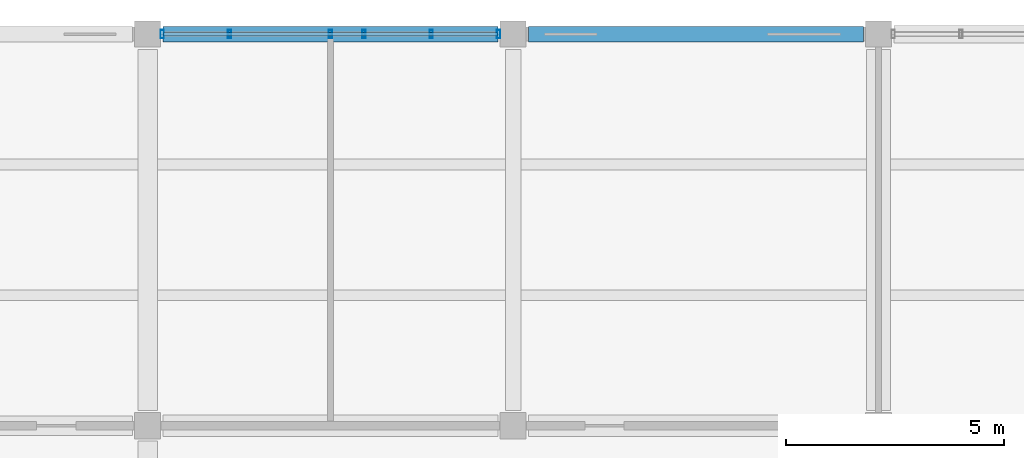
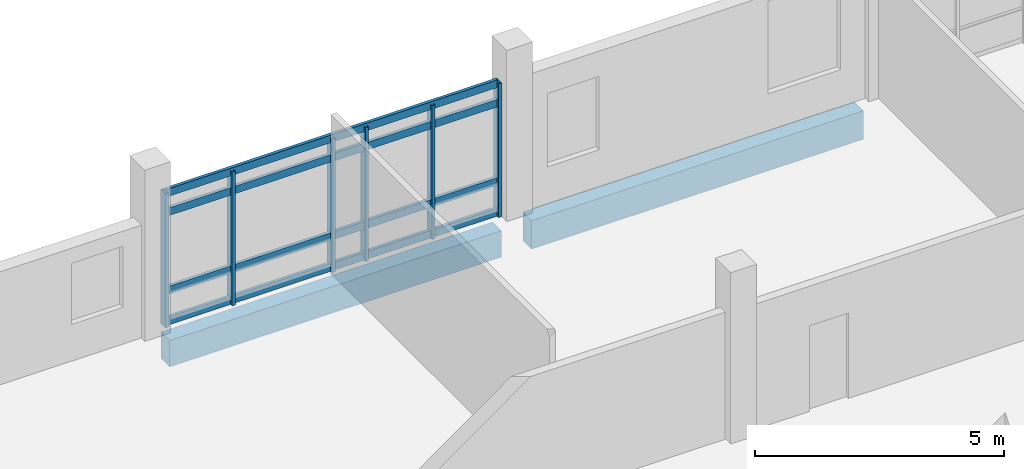
# One storey, part 44 of 101: 10 members, 2 beams, 1 element without a shape of its own.
"""IFC4 building model written with IfcOpenShell, lengths in metres."""

from ifc_helpers import new_model, si_unit, direction, frame, origin, origin_2d, place, context, subcontext, project, spatial, rectangle, hollow_rectangle, extrude, material, layer, layer_set, material_profile, profile_set, type_object, element, aggregate, save


model = new_model("IFC4")

# Units and contexts
model_context = context("Model", 3, precision=1e-05, world=origin(), true_north=direction((0.0, 1.0)))
body_context = subcontext(model_context, "Body", "Model", "MODEL_VIEW")
ifc_project = project(units=[si_unit("LENGTHUNIT", "METRE"), si_unit("AREAUNIT", "SQUARE_METRE"), si_unit("VOLUMEUNIT", "CUBIC_METRE"), si_unit("PLANEANGLEUNIT", "RADIAN"), si_unit("MASSUNIT", "GRAM", prefix="KILO")], contexts=[model_context])

# Site, building, storey
site_placement = place(None, origin())
site = spatial("IfcSite", under=ifc_project, at=site_placement, CompositionType="ELEMENT")
building_placement = place(site_placement, origin())
building = spatial("IfcBuilding", under=site, at=building_placement, Name="Vireocrest Preparatory School", CompositionType="ELEMENT")
storey_placement = place(building_placement, frame((0.0, 0.0, 4.800048828125)))
storey = spatial("IfcBuildingStorey", under=building, at=storey_placement, Name="L01", CompositionType="ELEMENT", Elevation=4.800048828125)

# Curtain wall, members
ifc_material_1 = material(Name="Thermally broken aluminium EN AW-6063-T6", Category="aluminium")
ifc_layer = layer(ifc_material_1, 0.179931640625)
ifc_layer_set = layer_set([ifc_layer], Name="Thermally broken aluminium EN AW-6063-T6")
curtain_wall_type = type_object("IfcCurtainWallType", Name="North Street Curtain Wall 8400x4000", PredefinedType="USERDEFINED", material=ifc_layer_set)
curtain_wall_placement = place(storey_placement, origin())
curtain_wall = element("IfcCurtainWall", 1, at=curtain_wall_placement, inside=storey, type_object=curtain_wall_type, Name="Curtain Wall CW05 CW_L01_CW05_0507_1128_048", ObjectType="CURTAIN WALL", PredefinedType="USERDEFINED")
ifc_material_profile_1 = material_profile(ifc_material_1, hollow_rectangle(XDim=0.074951171875, YDim=0.199951171875, WallThickness=0.0048828125, at=origin_2d()), Name="ALU 75x200x5")
ifc_profile_set_1 = profile_set([ifc_material_profile_1], Name="Thermally broken aluminium EN AW-6063-T6")
member_type_1 = type_object("IfcMemberType", Name="CW Mullion 75x200x5", PredefinedType="MULLION", material=ifc_profile_set_1)
member_1_placement = place(storey_placement, frame((50.735107421875, 112.800048828125, 0.0), z_axis=(0.0, 0.0, 1.0), x_axis=(1.0, 0.0, 0.0)))
member_1 = element("IfcMember", 2, at=member_1_placement, type_object=member_type_1, Name="CW Mullion ML3 CW_L01_CW05_0507_1128_048-1", PredefinedType="MULLION", context=body_context, shape_type="SweptSolid", body=[
    extrude(hollow_rectangle(XDim=0.074951171875, YDim=0.199951171875, WallThickness=0.0048828125, at=origin_2d()), origin(), (0.0, 0.0, 1.0), 3.284912109375),
])
member_2_placement = place(storey_placement, frame((52.281005859375, 112.800048828125, 0.0), z_axis=(0.0, 0.0, 1.0), x_axis=(1.0, 0.0, 0.0)))
member_2 = element("IfcMember", 3, at=member_2_placement, type_object=member_type_1, Name="CW Mullion ML3 CW_L01_CW05_0507_1128_048-2", PredefinedType="MULLION", context=body_context, shape_type="SweptSolid", body=[
    extrude(hollow_rectangle(XDim=0.074951171875, YDim=0.199951171875, WallThickness=0.0048828125, at=origin_2d()), origin(), (0.0, 0.0, 1.0), 3.284912109375),
])
member_3_placement = place(storey_placement, frame((54.60009765625, 112.800048828125, 0.0), z_axis=(0.0, 0.0, 1.0), x_axis=(1.0, 0.0, 0.0)))
member_3 = element("IfcMember", 4, at=member_3_placement, type_object=member_type_1, Name="CW Mullion ML3 CW_L01_CW05_0507_1128_048-3", PredefinedType="MULLION", context=body_context, shape_type="SweptSolid", body=[
    extrude(hollow_rectangle(XDim=0.074951171875, YDim=0.199951171875, WallThickness=0.0048828125, at=origin_2d()), origin(), (0.0, 0.0, 1.0), 3.284912109375),
])
member_4_placement = place(storey_placement, frame((55.373046875, 112.800048828125, 0.0), z_axis=(0.0, 0.0, 1.0), x_axis=(1.0, 0.0, 0.0)))
member_4 = element("IfcMember", 5, at=member_4_placement, type_object=member_type_1, Name="CW Mullion ML3 CW_L01_CW05_0507_1128_048-4", PredefinedType="MULLION", context=body_context, shape_type="SweptSolid", body=[
    extrude(hollow_rectangle(XDim=0.074951171875, YDim=0.199951171875, WallThickness=0.0048828125, at=origin_2d()), origin(), (0.0, 0.0, 1.0), 3.284912109375),
])
member_5_placement = place(storey_placement, frame((56.9189453125, 112.800048828125, 0.0), z_axis=(0.0, 0.0, 1.0), x_axis=(1.0, 0.0, 0.0)))
member_5 = element("IfcMember", 6, at=member_5_placement, type_object=member_type_1, Name="CW Mullion ML3 CW_L01_CW05_0507_1128_048-5", PredefinedType="MULLION", context=body_context, shape_type="SweptSolid", body=[
    extrude(hollow_rectangle(XDim=0.074951171875, YDim=0.199951171875, WallThickness=0.0048828125, at=origin_2d()), origin(), (0.0, 0.0, 1.0), 3.284912109375),
])
member_6_placement = place(storey_placement, frame((58.465087890625, 112.800048828125, 0.0), z_axis=(0.0, 0.0, 1.0), x_axis=(1.0, 0.0, 0.0)))
member_6 = element("IfcMember", 7, at=member_6_placement, type_object=member_type_1, Name="CW Mullion ML3 CW_L01_CW05_0507_1128_048-6", PredefinedType="MULLION", context=body_context, shape_type="SweptSolid", body=[
    extrude(hollow_rectangle(XDim=0.074951171875, YDim=0.199951171875, WallThickness=0.0048828125, at=origin_2d()), origin(), (0.0, 0.0, 1.0), 3.284912109375),
])
ifc_material_profile_2 = material_profile(ifc_material_1, hollow_rectangle(XDim=0.074951171875, YDim=0.18994140625, WallThickness=0.00390625, at=origin_2d()), Name="ALU 75x190x4")
ifc_profile_set_2 = profile_set([ifc_material_profile_2], Name="Thermally broken aluminium EN AW-6063-T6")
member_type_2 = type_object("IfcMemberType", Name="CW Transom 75x190x4", PredefinedType="USERDEFINED", material=ifc_profile_set_2)
member_7_placement = place(storey_placement, frame((50.760009765625, 112.800048828125, 0.094970703125), z_axis=(1.0, 0.0, 0.0), x_axis=(0.0, 1.0, 0.0)))
member_7 = element("IfcMember", 8, at=member_7_placement, type_object=member_type_2, Name="CW Transom TR3 CW_L01_CW05_0507_1128_048-1", ObjectType="TRANSOM", PredefinedType="USERDEFINED", context=body_context, shape_type="SweptSolid", body=[
    extrude(hollow_rectangle(XDim=0.074951171875, YDim=0.18994140625, WallThickness=0.00390625, at=origin_2d()), origin(), (0.0, 0.0, 1.0), 7.679931640625),
])
member_8_placement = place(storey_placement, frame((50.760009765625, 112.800048828125, 0.849853515625), z_axis=(1.0, 0.0, 0.0), x_axis=(0.0, 1.0, 0.0)))
member_8 = element("IfcMember", 9, at=member_8_placement, type_object=member_type_2, Name="CW Transom TR3 CW_L01_CW05_0507_1128_048-2", ObjectType="TRANSOM", PredefinedType="USERDEFINED", context=body_context, shape_type="SweptSolid", body=[
    extrude(hollow_rectangle(XDim=0.074951171875, YDim=0.18994140625, WallThickness=0.00390625, at=origin_2d()), origin(), (0.0, 0.0, 1.0), 7.679931640625),
])
member_9_placement = place(storey_placement, frame((50.760009765625, 112.800048828125, 2.77001953125), z_axis=(1.0, 0.0, 0.0), x_axis=(0.0, 1.0, 0.0)))
member_9 = element("IfcMember", 10, at=member_9_placement, type_object=member_type_2, Name="CW Transom TR3 CW_L01_CW05_0507_1128_048-3", ObjectType="TRANSOM", PredefinedType="USERDEFINED", context=body_context, shape_type="SweptSolid", body=[
    extrude(hollow_rectangle(XDim=0.074951171875, YDim=0.18994140625, WallThickness=0.00390625, at=origin_2d()), origin(), (0.0, 0.0, 1.0), 7.679931640625),
])
member_10_placement = place(storey_placement, frame((50.760009765625, 112.800048828125, 3.244873046875), z_axis=(1.0, 0.0, 0.0), x_axis=(0.0, 1.0, 0.0)))
member_10 = element("IfcMember", 11, at=member_10_placement, type_object=member_type_2, Name="CW Transom TR3 CW_L01_CW05_0507_1128_048-4", ObjectType="TRANSOM", PredefinedType="USERDEFINED", context=body_context, shape_type="SweptSolid", body=[
    extrude(hollow_rectangle(XDim=0.074951171875, YDim=0.18994140625, WallThickness=0.00390625, at=origin_2d()), origin(), (0.0, 0.0, 1.0), 7.679931640625),
])
aggregate(curtain_wall, [member_1, member_2, member_3, member_4, member_5, member_6, member_7, member_8, member_9, member_10])

# Beams
ifc_material_2 = material(Name="Concrete 40 MPa", Category="concrete")
ifc_material_profile_3 = material_profile(ifc_material_2, rectangle(XDim=0.35009765625, YDim=0.64990234375, at=origin_2d()), Name="RC 350x650")
ifc_profile_set_3 = profile_set([ifc_material_profile_3], Name="Concrete 40 MPa")
beam_type_1 = type_object("IfcBeamType", Name="RC Classroom Girder 350x650", PredefinedType="BEAM", material=ifc_profile_set_3)
beam_1_placement = place(storey_placement, frame((50.75, 112.800048828125, -0.60498046875), z_axis=(1.0, 0.0, 0.0), x_axis=(0.0, 1.0, 0.0)))
element("IfcBeam", 12, at=beam_1_placement, inside=storey, type_object=beam_type_1, Name="Primary Girder B05 L01-0363", PredefinedType="BEAM", context=body_context, shape_type="SweptSolid", body=[
    extrude(rectangle(XDim=0.35009765625, YDim=0.64990234375, at=origin_2d()), origin(), (0.0, 0.0, 1.0), 7.699951171875),
])
ifc_material_profile_4 = material_profile(ifc_material_2, rectangle(XDim=0.35009765625, YDim=0.699951171875, at=origin_2d()), Name="RC 350x700")
ifc_profile_set_4 = profile_set([ifc_material_profile_4], Name="Concrete 40 MPa")
beam_type_2 = type_object("IfcBeamType", Name="RC Laboratory Girder 350x700", PredefinedType="BEAM", material=ifc_profile_set_4)
beam_2_placement = place(storey_placement, frame((59.14990234375, 112.800048828125, -0.630126953125), z_axis=(1.0, 0.0, 0.0), x_axis=(0.0, 1.0, 0.0)))
element("IfcBeam", 13, at=beam_2_placement, inside=storey, type_object=beam_type_2, Name="Primary Girder B06 L01-0364", PredefinedType="BEAM", context=body_context, shape_type="SweptSolid", body=[
    extrude(rectangle(XDim=0.35009765625, YDim=0.699951171875, at=origin_2d()), origin(), (0.0, 0.0, 1.0), 7.7001953125),
])

save(model, "model.ifc")
